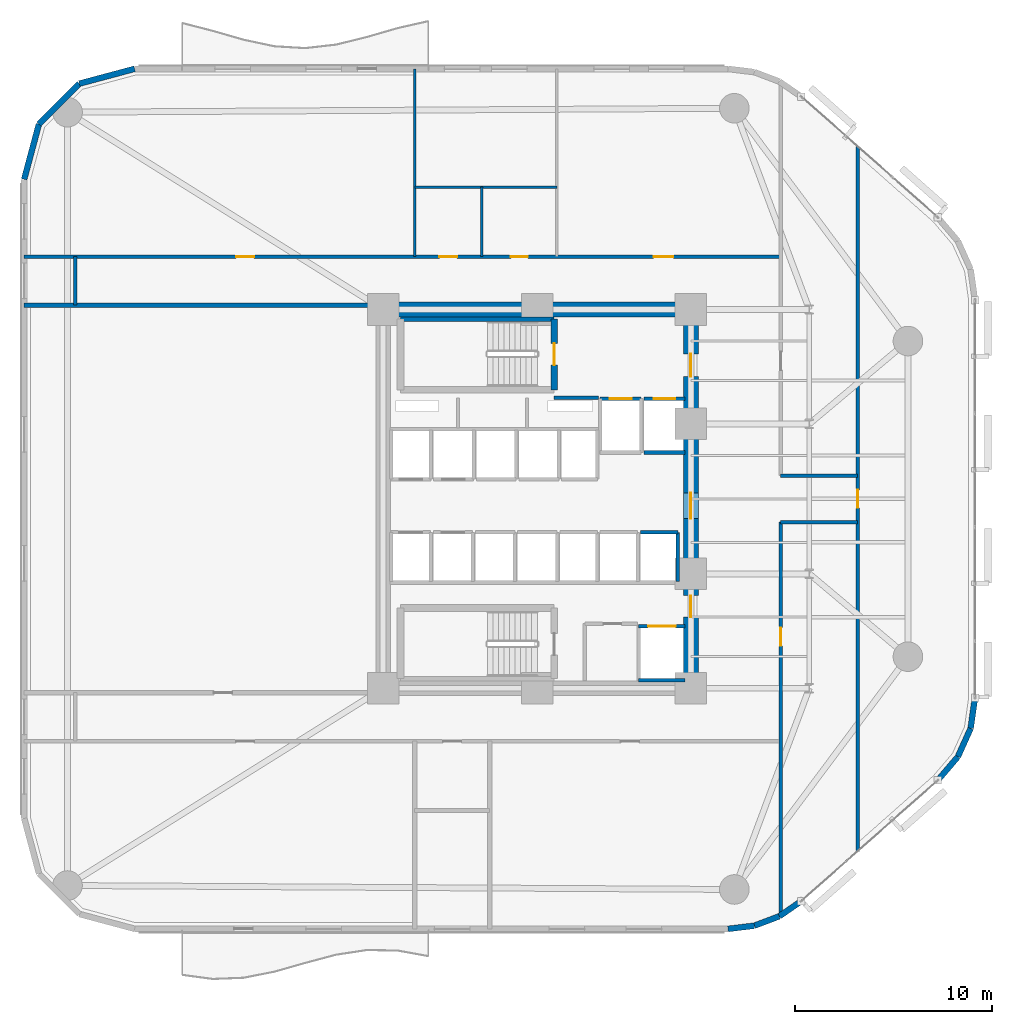
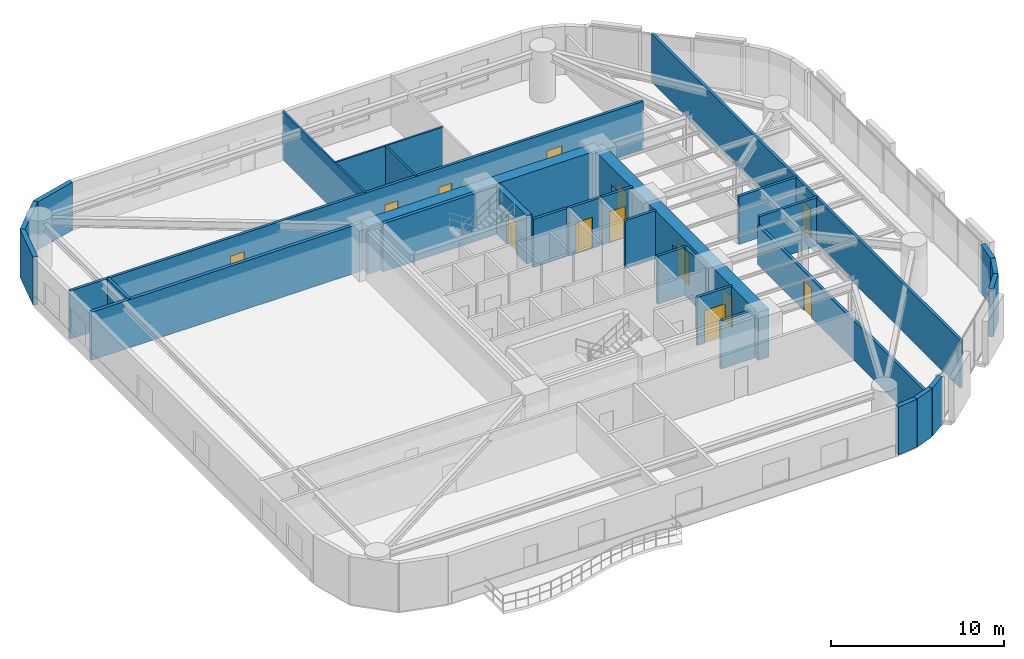
# One storey, part 11 of 15: 31 walls, 13 doors, 13 openings.
"""IFC4 building model written with IfcOpenShell, lengths in metres."""

from ifc_helpers import new_model, si_unit, direction, frame, frame_2d, origin, place, context, subcontext, project, spatial, rectangle, extrude, material, layer, layer_set, type_object, element, fill, save


model = new_model("IFC4")

# Units and contexts
model_context = context("Model", 3, precision=1e-05, world=origin(), true_north=direction((0.0, 1.0)))
body_context = subcontext(model_context, "Body", "Model", "MODEL_VIEW")
ifc_project = project(units=[si_unit("LENGTHUNIT", "METRE"), si_unit("AREAUNIT", "SQUARE_METRE"), si_unit("VOLUMEUNIT", "CUBIC_METRE"), si_unit("PLANEANGLEUNIT", "RADIAN"), si_unit("MASSUNIT", "GRAM", prefix="KILO")], contexts=[model_context])

# Site, building, storey
site_placement = place(None, origin())
site = spatial("IfcSite", under=ifc_project, at=site_placement, CompositionType="ELEMENT")
building_placement = place(site_placement, origin())
building = spatial("IfcBuilding", under=site, at=building_placement, Name="An Khanh Terracotta Commons", CompositionType="ELEMENT")
storey_placement = place(building_placement, frame((0.0, 0.0, 64.800048828125)))
storey = spatial("IfcBuildingStorey", under=building, at=storey_placement, Name="L17", CompositionType="ELEMENT", Elevation=64.800048828125)

# Wall
ifc_material_1 = material(Name="Concrete C70/85", Category="concrete")
ifc_layer_1 = layer(ifc_material_1, 0.75, Name="Concrete C70/85")
ifc_layer_set_1 = layer_set([ifc_layer_1], Name="Concrete C70/85")
wall_type_1 = type_object("IfcWallType", Name="WALL-CORE-750", PredefinedType="SHEAR", material=ifc_layer_set_1)
wall_1_placement = place(storey_placement, frame((21.60009765625, 33.60009765625, 0.0), z_axis=(0.0, 0.0, 1.0), x_axis=(1.0, 0.0, 0.0)))
element("IfcWall", 1, at=wall_1_placement, inside=storey, type_object=wall_type_1, Name="L17 Core Wall CWALL-L17-N", PredefinedType="SHEAR", context=body_context, shape_type="SweptSolid", body=[
    extrude(rectangle(XDim=15.599853515625, YDim=0.75, at=frame_2d((7.7998046875, 0.0))), origin(), (0.0, 0.0, 1.0), 3.39990234375),
])

# Wall, openings, doors
wall_2_placement = place(storey_placement, frame((37.199951171875, 14.39990234375, 0.0), z_axis=(0.0, 0.0, 1.0), x_axis=(0.0, 1.0, 0.0)))
wall_2 = element("IfcWall", 2, at=wall_2_placement, inside=storey, type_object=wall_type_1, Name="L17 Core Wall CWALL-L17-E", PredefinedType="SHEAR", context=body_context, shape_type="SweptSolid", body=[
    extrude(rectangle(XDim=19.2001953125, YDim=0.75, at=frame_2d((9.60009765625, 0.0))), origin(), (0.0, 0.0, 1.0), 3.39990234375),
])
opening_1_placement = place(wall_2_placement, frame((15.800048828125, 0.0, 0.0)))
opening_1 = element("IfcOpeningElement", 3, at=opening_1_placement, cuts=wall_2, Name="Opening D-FFL", PredefinedType="OPENING", context=body_context, shape_type="SweptSolid", body=[
    extrude(rectangle(XDim=1.14990234375, YDim=2.14990234375, at=frame_2d((0.574951171875, 1.074951171875))), frame((0.0, 0.385009765625, 0.0), z_axis=(0.0, -1.0, 0.0), x_axis=(1.0, 0.0, 0.0)), (0.0, 0.0, 1.0), 0.77001953125),
])
opening_2_placement = place(wall_2_placement, frame((3.60009765625, 0.0, 0.0)))
opening_2 = element("IfcOpeningElement", 4, at=opening_2_placement, cuts=wall_2, Name="Opening D-ST", PredefinedType="OPENING", context=body_context, shape_type="SweptSolid", body=[
    extrude(rectangle(XDim=1.10009765625, YDim=2.14990234375, at=frame_2d((0.550048828125, 1.074951171875))), frame((0.0, 0.385009765625, 0.0), z_axis=(0.0, -1.0, 0.0), x_axis=(1.0, 0.0, 0.0)), (0.0, 0.0, 1.0), 0.77001953125),
])
opening_3_placement = place(wall_2_placement, frame((8.60009765625, 0.0, 0.0)))
opening_3 = element("IfcOpeningElement", 5, at=opening_3_placement, cuts=wall_2, Name="Opening D-COR", PredefinedType="OPENING", context=body_context, shape_type="SweptSolid", body=[
    extrude(rectangle(XDim=1.300048828125, YDim=2.199951171875, at=frame_2d((0.64990234375, 1.10009765625))), frame((0.0, 0.385009765625, 0.0), z_axis=(0.0, -1.0, 0.0), x_axis=(1.0, 0.0, 0.0)), (0.0, 0.0, 1.0), 0.77001953125),
])
ifc_material_2 = material(Name="Fire-Rated Glazed Steel Double Door", Category="steel")
door_type_1 = type_object("IfcDoorType", Name="DOOR-CORR-1300", OperationType="NOTDEFINED", PredefinedType="DOOR", material=ifc_material_2)
door_1_placement = place(opening_3_placement, origin())
door_1 = element("IfcDoor", 6, at=door_1_placement, inside=storey, type_object=door_type_1, Name="L17 Passenger Lift Lobby Double Door", OperationType="DOUBLE_DOOR_SINGLE_SWING", OverallHeight=2.199951171875, OverallWidth=1.300048828125, PredefinedType="DOOR", context=body_context, shape_type="SweptSolid", body=[
    extrude(rectangle(XDim=1.300048828125, YDim=2.199951171875, at=frame_2d((0.64990234375, 1.10009765625))), frame((0.0, 0.02490234375, 0.0), z_axis=(0.0, -1.0, 0.0), x_axis=(1.0, 0.0, 0.0)), (0.0, 0.0, 1.0), 0.050048828125),
])
fill(opening_3, door_1)
ifc_material_3 = material(Name="Fire-Rated Steel Leaf and Vision Panel", Category="steel")
door_type_2 = type_object("IfcDoorType", Name="DOOR-FFL-1150", OperationType="NOTDEFINED", PredefinedType="DOOR", material=ifc_material_3)
door_2_placement = place(opening_1_placement, origin())
door_2 = element("IfcDoor", 7, at=door_2_placement, inside=storey, type_object=door_type_2, Name="L17 Firefighting Lift Lobby Fire Door", OperationType="SINGLE_SWING_RIGHT", OverallHeight=2.14990234375, OverallWidth=1.14990234375, PredefinedType="DOOR", context=body_context, shape_type="SweptSolid", body=[
    extrude(rectangle(XDim=1.14990234375, YDim=2.14990234375, at=frame_2d((0.574951171875, 1.074951171875))), frame((0.0, 0.02490234375, 0.0), z_axis=(0.0, -1.0, 0.0), x_axis=(1.0, 0.0, 0.0)), (0.0, 0.0, 1.0), 0.050048828125),
])
fill(opening_1, door_2)
ifc_material_4 = material(Name="Fire-Rated Steel Leaf and Frame", Category="steel")
door_type_3 = type_object("IfcDoorType", Name="DOOR-STAIR-1100", OperationType="NOTDEFINED", PredefinedType="DOOR", material=ifc_material_4)
door_3_placement = place(opening_2_placement, origin())
door_3 = element("IfcDoor", 8, at=door_3_placement, inside=storey, type_object=door_type_3, Name="L17 South Stair Lobby Fire Door", OperationType="SINGLE_SWING_LEFT", OverallHeight=2.14990234375, OverallWidth=1.10009765625, PredefinedType="DOOR", context=body_context, shape_type="SweptSolid", body=[
    extrude(rectangle(XDim=1.10009765625, YDim=2.14990234375, at=frame_2d((0.550048828125, 1.074951171875))), frame((0.0, 0.02490234375, 0.0), z_axis=(0.0, -1.0, 0.0), x_axis=(1.0, 0.0, 0.0)), (0.0, 0.0, 1.0), 0.050048828125),
])
fill(opening_2, door_3)

# Wall
ifc_material_5 = material(Name="Fire-Rated Gypsum Board on Steel Stud", Category="steel")
ifc_layer_2 = layer(ifc_material_5, 0.179931640625, Name="Fire-Rated Gypsum Board on Steel Stud")
ifc_layer_set_2 = layer_set([ifc_layer_2], Name="Fire-Rated Gypsum Board on Steel Stud")
wall_type_2 = type_object("IfcWallType", Name="WALL-CORR-180", PredefinedType="PARTITIONING", material=ifc_layer_set_2)
wall_3_placement = place(storey_placement, frame((30.27001953125, 29.1201171875, 0.0), z_axis=(0.0, 0.0, 1.0), x_axis=(1.0, 0.0, 0.0)))
element("IfcWall", 9, at=wall_3_placement, inside=storey, type_object=wall_type_2, Name="L17 Core Wall FFLW-L17-S", PredefinedType="PARTITIONING", context=body_context, shape_type="SweptSolid", body=[
    extrude(rectangle(XDim=2.239990234375, YDim=0.179931640625, at=frame_2d((1.1201171875, 0.0))), origin(), (0.0, 0.0, 1.0), 3.39990234375),
])

# Wall, opening, door
wall_4_placement = place(storey_placement, frame((32.60009765625, 29.080078125, 0.0), z_axis=(0.0, 0.0, 1.0), x_axis=(1.0, 0.0, 0.0)))
wall_4 = element("IfcWall", 10, at=wall_4_placement, inside=storey, type_object=wall_type_2, Name="L17 Core Wall LSH-L17-FFL-01-N", PredefinedType="PARTITIONING", context=body_context, shape_type="SweptSolid", body=[
    extrude(rectangle(XDim=2.079833984375, YDim=0.179931640625, at=frame_2d((1.0400390625, 0.0))), origin(), (0.0, 0.0, 1.0), 3.39990234375),
])
opening_4_placement = place(wall_4_placement, frame((0.489990234375, 0.0, 0.0)))
opening_4 = element("IfcOpeningElement", 11, at=opening_4_placement, cuts=wall_4, Name="Opening LD-FFL-01-L17", PredefinedType="OPENING", context=body_context, shape_type="SweptSolid", body=[
    extrude(rectangle(XDim=1.10009765625, YDim=2.199951171875, at=frame_2d((0.550048828125, 1.10009765625))), frame((0.0, 0.099853515625, 0.0), z_axis=(0.0, -1.0, 0.0), x_axis=(1.0, 0.0, 0.0)), (0.0, 0.0, 1.0), 0.199951171875),
])
ifc_material_6 = material(Name="Brushed Stainless Steel Fire Landing Door", Category="steel")
door_type_4 = type_object("IfcDoorType", Name="DOOR-LD-FFL-1100", OperationType="NOTDEFINED", PredefinedType="DOOR", material=ifc_material_6)
door_4_placement = place(opening_4_placement, origin())
door_4 = element("IfcDoor", 12, at=door_4_placement, inside=storey, type_object=door_type_4, Name="L17 Lift FFL-01 Sliding Landing Door", OperationType="DOUBLE_DOOR_SLIDING", OverallHeight=2.199951171875, OverallWidth=1.10009765625, PredefinedType="DOOR", context=body_context, shape_type="SweptSolid", body=[
    extrude(rectangle(XDim=1.10009765625, YDim=2.199951171875, at=frame_2d((0.550048828125, 1.10009765625))), frame((0.0, 0.02490234375, 0.0), z_axis=(0.0, -1.0, 0.0), x_axis=(1.0, 0.0, 0.0)), (0.0, 0.0, 1.0), 0.050048828125),
])
fill(opening_4, door_4)

wall_5_placement = place(storey_placement, frame((34.820068359375, 29.080078125, 0.0), z_axis=(0.0, 0.0, 1.0), x_axis=(1.0, 0.0, 0.0)))
wall_5 = element("IfcWall", 13, at=wall_5_placement, inside=storey, type_object=wall_type_2, Name="L17 Core Wall LSH-L17-FFL-02-N", PredefinedType="PARTITIONING", context=body_context, shape_type="SweptSolid", body=[
    extrude(rectangle(XDim=2.079833984375, YDim=0.179931640625, at=frame_2d((1.0400390625, 0.0))), origin(), (0.0, 0.0, 1.0), 3.39990234375),
])
opening_5_placement = place(wall_5_placement, frame((0.489990234375, 0.0, 0.0)))
opening_5 = element("IfcOpeningElement", 14, at=opening_5_placement, cuts=wall_5, Name="Opening LD-FFL-02-L17", PredefinedType="OPENING", context=body_context, shape_type="SweptSolid", body=[
    extrude(rectangle(XDim=1.10009765625, YDim=2.199951171875, at=frame_2d((0.550048828125, 1.10009765625))), frame((0.0, 0.099853515625, 0.0), z_axis=(0.0, -1.0, 0.0), x_axis=(1.0, 0.0, 0.0)), (0.0, 0.0, 1.0), 0.199951171875),
])
door_5_placement = place(opening_5_placement, origin())
door_5 = element("IfcDoor", 15, at=door_5_placement, inside=storey, type_object=door_type_4, Name="L17 Lift FFL-02 Sliding Landing Door", OperationType="DOUBLE_DOOR_SLIDING", OverallHeight=2.199951171875, OverallWidth=1.10009765625, PredefinedType="DOOR", context=body_context, shape_type="SweptSolid", body=[
    extrude(rectangle(XDim=1.10009765625, YDim=2.199951171875, at=frame_2d((0.550048828125, 1.10009765625))), frame((0.0, 0.02490234375, 0.0), z_axis=(0.0, -1.0, 0.0), x_axis=(1.0, 0.0, 0.0)), (0.0, 0.0, 1.0), 0.050048828125),
])
fill(opening_5, door_5)

# Wall
wall_6_placement = place(storey_placement, frame((36.89990234375, 26.35009765625, 0.0), z_axis=(0.0, 0.0, 1.0), x_axis=(-1.0, 0.0, 0.0)))
element("IfcWall", 16, at=wall_6_placement, inside=storey, type_object=wall_type_2, Name="L17 Core Wall LSH-L17-FFL-02-S", PredefinedType="PARTITIONING", context=body_context, shape_type="SweptSolid", body=[
    extrude(rectangle(XDim=2.079833984375, YDim=0.179931640625, at=frame_2d((1.0400390625, 0.0))), origin(), (0.0, 0.0, 1.0), 3.39990234375),
])

# Wall, opening, door
wall_7_placement = place(storey_placement, frame((34.550048828125, 17.550048828125, 0.0), z_axis=(0.0, 0.0, 1.0), x_axis=(1.0, 0.0, 0.0)))
wall_7 = element("IfcWall", 17, at=wall_7_placement, inside=storey, type_object=wall_type_2, Name="L17 Core Wall LSH-L17-SVL-01-N", PredefinedType="PARTITIONING", context=body_context, shape_type="SweptSolid", body=[
    extrude(rectangle(XDim=2.349853515625, YDim=0.179931640625, at=frame_2d((1.1748046875, 0.0))), origin(), (0.0, 0.0, 1.0), 3.39990234375),
])
opening_6_placement = place(wall_7_placement, frame((0.47509765625, 0.0, 0.0)))
opening_6 = element("IfcOpeningElement", 18, at=opening_6_placement, cuts=wall_7, Name="Opening LD-SVL-01-L17", PredefinedType="OPENING", context=body_context, shape_type="SweptSolid", body=[
    extrude(rectangle(XDim=1.39990234375, YDim=2.300048828125, at=frame_2d((0.699951171875, 1.14990234375))), frame((0.0, 0.099853515625, 0.0), z_axis=(0.0, -1.0, 0.0), x_axis=(1.0, 0.0, 0.0)), (0.0, 0.0, 1.0), 0.199951171875),
])
ifc_material_7 = material(Name="Heavy-Duty Stainless Steel Goods Landing Door", Category="steel")
door_type_5 = type_object("IfcDoorType", Name="DOOR-LD-SVL-1400", OperationType="NOTDEFINED", PredefinedType="DOOR", material=ifc_material_7)
door_6_placement = place(opening_6_placement, origin())
door_6 = element("IfcDoor", 19, at=door_6_placement, inside=storey, type_object=door_type_5, Name="L17 Lift SVL-01 Sliding Landing Door", OperationType="DOUBLE_DOOR_SLIDING", OverallHeight=2.300048828125, OverallWidth=1.39990234375, PredefinedType="DOOR", context=body_context, shape_type="SweptSolid", body=[
    extrude(rectangle(XDim=1.39990234375, YDim=2.300048828125, at=frame_2d((0.699951171875, 1.14990234375))), frame((0.0, 0.02490234375, 0.0), z_axis=(0.0, -1.0, 0.0), x_axis=(1.0, 0.0, 0.0)), (0.0, 0.0, 1.0), 0.050048828125),
])
fill(opening_6, door_6)

# Walls
wall_8_placement = place(storey_placement, frame((36.89990234375, 14.800048828125, 0.0), z_axis=(0.0, 0.0, 1.0), x_axis=(-1.0, 0.0, 0.0)))
element("IfcWall", 20, at=wall_8_placement, inside=storey, type_object=wall_type_2, Name="L17 Core Wall LSH-L17-SVL-01-S", PredefinedType="PARTITIONING", context=body_context, shape_type="SweptSolid", body=[
    extrude(rectangle(XDim=2.349853515625, YDim=0.179931640625, at=frame_2d((1.1748046875, 0.0))), origin(), (0.0, 0.0, 1.0), 3.39990234375),
])
wall_9_placement = place(storey_placement, frame((34.639892578125, 22.300048828125, 0.0), z_axis=(0.0, 0.0, 1.0), x_axis=(1.0, 0.0, 0.0)))
element("IfcWall", 21, at=wall_9_placement, inside=storey, type_object=wall_type_2, Name="L17 Core Wall LSH-L17-PL-H4-N", PredefinedType="PARTITIONING", context=body_context, shape_type="SweptSolid", body=[
    extrude(rectangle(XDim=1.900146484375, YDim=0.179931640625, at=frame_2d((0.9501953125, 0.0))), origin(), (0.0, 0.0, 1.0), 3.39990234375),
])
wall_10_placement = place(storey_placement, frame((36.5400390625, 19.800048828125, 0.0), z_axis=(0.0, 0.0, 1.0), x_axis=(0.0, 1.0, 0.0)))
element("IfcWall", 22, at=wall_10_placement, inside=storey, type_object=wall_type_2, Name="L17 Core Wall LSH-L17-PL-H4-E", PredefinedType="PARTITIONING", context=body_context, shape_type="SweptSolid", body=[
    extrude(rectangle(XDim=2.5, YDim=0.179931640625, at=frame_2d((1.25, 0.0))), origin(), (0.0, 0.0, 1.0), 3.39990234375),
])
for number, where, z_axis, x_axis, name in (
    (23, (41.75, 22.820068359375, 0.0), (0.0, 0.0, 1.0), (1.0, 0.0, 0.0), "L17 Interior Partition IW-L17-E004"),
    (24, (41.75, 25.179931640625, 0.0), (0.0, 0.0, 1.0), (1.0, 0.0, 0.0), "L17 Interior Partition IW-L17-E005"),
):
    element("IfcWall", number, at=place(storey_placement, frame(where, z_axis=z_axis, x_axis=x_axis)), inside=storey, type_object=wall_type_2, Name=name, PredefinedType="PARTITIONING", context=body_context, shape_type="SweptSolid", body=[
        extrude(rectangle(XDim=3.89990234375, YDim=0.179931640625, at=frame_2d((1.949951171875, 0.0))), origin(), (0.0, 0.0, 1.0), 3.39990234375),
    ])

# Wall, openings, doors
wall_11_placement = place(storey_placement, frame((3.39990234375, 36.280029296875, 0.0), z_axis=(0.0, 0.0, 1.0), x_axis=(1.0, 0.0, 0.0)))
wall_11 = element("IfcWall", 25, at=wall_11_placement, inside=storey, type_object=wall_type_2, Name="L17 Interior Partition IW-L17-E007", PredefinedType="PARTITIONING", context=body_context, shape_type="SweptSolid", body=[
    extrude(rectangle(XDim=38.35009765625, YDim=0.179931640625, at=frame_2d((19.175048828125, 0.0))), origin(), (0.0, 0.0, 1.0), 3.39990234375),
])
opening_7_placement = place(wall_11_placement, frame((21.050048828125, 0.0, 0.0)))
opening_7 = element("IfcOpeningElement", 26, at=opening_7_placement, cuts=wall_11, Name="Opening D-WC", PredefinedType="OPENING", context=body_context, shape_type="SweptSolid", body=[
    extrude(rectangle(XDim=0.89990234375, YDim=2.10009765625, at=frame_2d((0.449951171875, 1.050048828125))), frame((0.0, 0.099853515625, 0.0), z_axis=(0.0, -1.0, 0.0), x_axis=(1.0, 0.0, 0.0)), (0.0, 0.0, 1.0), 0.199951171875),
])
opening_8_placement = place(wall_11_placement, frame((24.669921875, 0.0, 0.0)))
opening_8 = element("IfcOpeningElement", 27, at=opening_8_placement, cuts=wall_11, Name="Opening D-ENS", PredefinedType="OPENING", context=body_context, shape_type="SweptSolid", body=[
    extrude(rectangle(XDim=0.860107421875, YDim=2.10009765625, at=frame_2d((0.43017578125, 1.050048828125))), frame((0.0, 0.099853515625, 0.0), z_axis=(0.0, -1.0, 0.0), x_axis=(1.0, 0.0, 0.0)), (0.0, 0.0, 1.0), 0.199951171875),
])
opening_9_placement = place(wall_11_placement, frame((10.739990234375, 0.0, 0.0)))
opening_9 = element("IfcOpeningElement", 28, at=opening_9_placement, cuts=wall_11, Name="Opening D-RM", PredefinedType="OPENING", context=body_context, shape_type="SweptSolid", body=[
    extrude(rectangle(XDim=0.919921875, YDim=2.10009765625, at=frame_2d((0.4599609375, 1.050048828125))), frame((0.0, 0.099853515625, 0.0), z_axis=(0.0, -1.0, 0.0), x_axis=(1.0, 0.0, 0.0)), (0.0, 0.0, 1.0), 0.199951171875),
])
opening_10_placement = place(wall_11_placement, frame((31.9150390625, 0.0, 0.0)))
opening_10 = element("IfcOpeningElement", 29, at=opening_10_placement, cuts=wall_11, Name="Opening D-UN", PredefinedType="OPENING", context=body_context, shape_type="SweptSolid", body=[
    extrude(rectangle(XDim=1.0, YDim=2.14990234375, at=frame_2d((0.5, 1.074951171875))), frame((0.0, 0.099853515625, 0.0), z_axis=(0.0, -1.0, 0.0), x_axis=(1.0, 0.0, 0.0)), (0.0, 0.0, 1.0), 0.199951171875),
])
ifc_material_8 = material(Name="Moisture-Resistant Hardwood Timber Leaf", Category="wood")
door_type_6 = type_object("IfcDoorType", Name="DOOR-BATH-860", OperationType="NOTDEFINED", PredefinedType="DOOR", material=ifc_material_8)
door_7_placement = place(opening_8_placement, origin())
door_7 = element("IfcDoor", 30, at=door_7_placement, inside=storey, type_object=door_type_6, Name="L17 SHW Resident Shared Shower and Washroom Door", OperationType="SINGLE_SWING_RIGHT", OverallHeight=2.10009765625, OverallWidth=0.860107421875, PredefinedType="DOOR", context=body_context, shape_type="SweptSolid", body=[
    extrude(rectangle(XDim=0.860107421875, YDim=2.10009765625, at=frame_2d((0.43017578125, 1.050048828125))), frame((0.0, 0.02490234375, 0.0), z_axis=(0.0, -1.0, 0.0), x_axis=(1.0, 0.0, 0.0)), (0.0, 0.0, 1.0), 0.050048828125),
])
fill(opening_8, door_7)
ifc_material_9 = material(Name="Engineered Hardwood Timber Leaf", Category="wood")
door_type_7 = type_object("IfcDoorType", Name="DOOR-INT-920", OperationType="NOTDEFINED", PredefinedType="DOOR", material=ifc_material_9)
door_8_placement = place(opening_9_placement, origin())
door_8 = element("IfcDoor", 31, at=door_8_placement, inside=storey, type_object=door_type_7, Name="L17 NW1 Student Reading Library Door", OperationType="SINGLE_SWING_LEFT", OverallHeight=2.10009765625, OverallWidth=0.919921875, PredefinedType="DOOR", context=body_context, shape_type="SweptSolid", body=[
    extrude(rectangle(XDim=0.919921875, YDim=2.10009765625, at=frame_2d((0.4599609375, 1.050048828125))), frame((0.0, 0.02490234375, 0.0), z_axis=(0.0, -1.0, 0.0), x_axis=(1.0, 0.0, 0.0)), (0.0, 0.0, 1.0), 0.050048828125),
])
fill(opening_9, door_8)
ifc_material_10 = material(Name="Solid-Core Hardwood Acoustic Fire Door", Category="wood")
door_type_8 = type_object("IfcDoorType", Name="DOOR-UNIT-1000", OperationType="NOTDEFINED", PredefinedType="DOOR", material=ifc_material_10)
door_9_placement = place(opening_10_placement, origin())
door_9 = element("IfcDoor", 32, at=door_9_placement, inside=storey, type_object=door_type_8, Name="L17 NWE Yoga Wellness Studio Door", OperationType="SINGLE_SWING_RIGHT", OverallHeight=2.14990234375, OverallWidth=1.0, PredefinedType="DOOR", context=body_context, shape_type="SweptSolid", body=[
    extrude(rectangle(XDim=1.0, YDim=2.14990234375, at=frame_2d((0.5, 1.074951171875))), frame((0.0, 0.02490234375, 0.0), z_axis=(0.0, -1.0, 0.0), x_axis=(1.0, 0.0, 0.0)), (0.0, 0.0, 1.0), 0.050048828125),
])
fill(opening_10, door_9)
ifc_material_11 = material(Name="Laminate Moisture-Resistant Timber Leaf", Category="wood")
door_type_9 = type_object("IfcDoorType", Name="DOOR-WC-900", OperationType="NOTDEFINED", PredefinedType="DOOR", material=ifc_material_11)
door_10_placement = place(opening_7_placement, origin())
door_10 = element("IfcDoor", 33, at=door_10_placement, inside=storey, type_object=door_type_9, Name="L17 AWC Accessible WC Door", OperationType="SINGLE_SWING_LEFT", OverallHeight=2.10009765625, OverallWidth=0.89990234375, PredefinedType="DOOR", context=body_context, shape_type="SweptSolid", body=[
    extrude(rectangle(XDim=0.89990234375, YDim=2.10009765625, at=frame_2d((0.449951171875, 1.050048828125))), frame((0.0, 0.02490234375, 0.0), z_axis=(0.0, -1.0, 0.0), x_axis=(1.0, 0.0, 0.0)), (0.0, 0.0, 1.0), 0.050048828125),
])
fill(opening_7, door_10)

# Wall
wall_12_placement = place(storey_placement, frame((6.0, 33.820068359375, 0.0), z_axis=(0.0, 0.0, 1.0), x_axis=(0.0, 1.0, 0.0)))
element("IfcWall", 34, at=wall_12_placement, inside=storey, type_object=wall_type_2, Name="L17 Interior Partition IW-L17-E010", PredefinedType="PARTITIONING", context=body_context, shape_type="SweptSolid", body=[
    extrude(rectangle(XDim=2.4599609375, YDim=0.179931640625, at=frame_2d((1.22998046875, 0.0))), origin(), (0.0, 0.0, 1.0), 3.39990234375),
])

# Wall, opening, door
wall_13_placement = place(storey_placement, frame((41.75, 2.888916015625, 0.0), z_axis=(0.0, 0.0, 1.0), x_axis=(0.0, 1.0, 0.0)))
wall_13 = element("IfcWall", 35, at=wall_13_placement, inside=storey, type_object=wall_type_2, Name="L17 Interior Partition IW-L17-E016", PredefinedType="PARTITIONING", context=body_context, shape_type="SweptSolid", body=[
    extrude(rectangle(XDim=19.93115234375, YDim=0.179931640625, at=frame_2d((9.965576171875, 0.0))), origin(), (0.0, 0.0, 1.0), 2.781982421875),
])
opening_11_placement = place(wall_13_placement, frame((13.660888671875, 0.0, 0.0)))
opening_11 = element("IfcOpeningElement", 36, at=opening_11_placement, cuts=wall_13, Name="Opening D-RM", PredefinedType="OPENING", context=body_context, shape_type="SweptSolid", body=[
    extrude(rectangle(XDim=0.919921875, YDim=2.10009765625, at=frame_2d((0.4599609375, 1.050048828125))), frame((0.0, 0.099853515625, 0.0), z_axis=(0.0, -1.0, 0.0), x_axis=(1.0, 0.0, 0.0)), (0.0, 0.0, 1.0), 0.199951171875),
])
door_11_placement = place(opening_11_placement, origin())
door_11 = element("IfcDoor", 37, at=door_11_placement, inside=storey, type_object=door_type_7, Name="L17 SPN2 Research Study Office Door", OperationType="SINGLE_SWING_LEFT", OverallHeight=2.10009765625, OverallWidth=0.919921875, PredefinedType="DOOR", context=body_context, shape_type="SweptSolid", body=[
    extrude(rectangle(XDim=0.919921875, YDim=2.10009765625, at=frame_2d((0.4599609375, 1.050048828125))), frame((0.0, 0.02490234375, 0.0), z_axis=(0.0, -1.0, 0.0), x_axis=(1.0, 0.0, 0.0)), (0.0, 0.0, 1.0), 0.050048828125),
])
fill(opening_11, door_11)

wall_14_placement = place(storey_placement, frame((45.64990234375, 6.136962890625, 0.0), z_axis=(0.0, 0.0, 1.0), x_axis=(0.0, 1.0, 0.0)))
wall_14 = element("IfcWall", 38, at=wall_14_placement, inside=storey, type_object=wall_type_2, Name="L17 Interior Partition IW-L17-E018", PredefinedType="PARTITIONING", context=body_context, shape_type="SweptSolid", body=[
    extrude(rectangle(XDim=35.72607421875, YDim=0.179931640625, at=frame_2d((17.863037109375, 0.0))), origin(), (0.0, 0.0, 1.0), 3.39990234375),
])
opening_12_placement = place(wall_14_placement, frame((17.403076171875, 0.0, 0.0)))
opening_12 = element("IfcOpeningElement", 39, at=opening_12_placement, cuts=wall_14, Name="Opening D-RM", PredefinedType="OPENING", context=body_context, shape_type="SweptSolid", body=[
    extrude(rectangle(XDim=0.919921875, YDim=2.10009765625, at=frame_2d((0.4599609375, 1.050048828125))), frame((0.0, 0.099853515625, 0.0), z_axis=(0.0, -1.0, 0.0), x_axis=(1.0, 0.0, 0.0)), (0.0, 0.0, 1.0), 0.199951171875),
])
door_12_placement = place(opening_12_placement, origin())
door_12 = element("IfcDoor", 40, at=door_12_placement, inside=storey, type_object=door_type_7, Name="L17 GHALL Riverfront Reference Library Door", OperationType="SINGLE_SWING_RIGHT", OverallHeight=2.10009765625, OverallWidth=0.919921875, PredefinedType="DOOR", context=body_context, shape_type="SweptSolid", body=[
    extrude(rectangle(XDim=0.919921875, YDim=2.10009765625, at=frame_2d((0.4599609375, 1.050048828125))), frame((0.0, 0.02490234375, 0.0), z_axis=(0.0, -1.0, 0.0), x_axis=(1.0, 0.0, 0.0)), (0.0, 0.0, 1.0), 0.050048828125),
])
fill(opening_12, door_12)

# Walls
ifc_material_12 = material(Name="Precast concrete C40/50", Category="concrete")
ifc_layer_3 = layer(ifc_material_12, 0.300048828125, Name="Precast concrete C40/50")
ifc_layer_set_3 = layer_set([ifc_layer_3], Name="Precast concrete C40/50")
wall_type_3 = type_object("IfcWallType", Name="WALL-EXT-300", PredefinedType="SOLIDWALL", material=ifc_layer_set_3)
wall_15_placement = place(storey_placement, frame((39.0791015625, 2.199951171875, 0.0), z_axis=(0.0, 0.0, 1.0), x_axis=(0.992739027259, 0.120288086515, 0.0)))
element("IfcWall", 41, at=wall_15_placement, inside=storey, type_object=wall_type_3, Name="L17 Insulated Terracotta Exterior Wall 5", PredefinedType="SOLIDWALL", context=body_context, shape_type="SweptSolid", body=[
    extrude(rectangle(XDim=1.34765625, YDim=0.300048828125, at=frame_2d((0.673828125, 0.0))), origin(), (0.0, 0.0, 1.0), 3.39990234375),
])
wall_16_placement = place(storey_placement, frame((40.4169921875, 2.362060546875, 0.0), z_axis=(0.0, 0.0, 1.0), x_axis=(0.935156721165, 0.354234254216, 0.0)))
element("IfcWall", 42, at=wall_16_placement, inside=storey, type_object=wall_type_3, Name="L17 Insulated Terracotta Exterior Wall 6", PredefinedType="SOLIDWALL", context=body_context, shape_type="SweptSolid", body=[
    extrude(rectangle(XDim=1.349365234375, YDim=0.300048828125, at=frame_2d((0.6748046875, 0.0))), origin(), (0.0, 0.0, 1.0), 3.39990234375),
])
wall_17_placement = place(storey_placement, frame((41.678955078125, 2.840087890625, 0.0), z_axis=(0.0, 0.0, 1.0), x_axis=(0.823116500192, 0.567872544777, 0.0)))
element("IfcWall", 43, at=wall_17_placement, inside=storey, type_object=wall_type_3, Name="L17 Insulated Terracotta Exterior Wall 7", PredefinedType="SOLIDWALL", context=body_context, shape_type="SweptSolid", body=[
    extrude(rectangle(XDim=1.3486328125, YDim=0.300048828125, at=frame_2d((0.67431640625, 0.0))), origin(), (0.0, 0.0, 1.0), 3.39990234375),
])
wall_18_placement = place(storey_placement, frame((49.7099609375, 9.72802734375, 0.0), z_axis=(0.0, 0.0, 1.0), x_axis=(0.648389989909, 0.7613083613, 0.0)))
element("IfcWall", 44, at=wall_18_placement, inside=storey, type_object=wall_type_3, Name="L17 Insulated Terracotta Exterior Wall 9", PredefinedType="SOLIDWALL", context=body_context, shape_type="SweptSolid", body=[
    extrude(rectangle(XDim=1.576171875, YDim=0.300048828125, at=frame_2d((0.7880859375, 0.0))), origin(), (0.0, 0.0, 1.0), 3.39990234375),
])
wall_19_placement = place(storey_placement, frame((50.73193359375, 10.927978515625, 0.0), z_axis=(0.0, 0.0, 1.0), x_axis=(0.410996558744, 0.911636895206, 0.0)))
element("IfcWall", 45, at=wall_19_placement, inside=storey, type_object=wall_type_3, Name="L17 Insulated Terracotta Exterior Wall 10", PredefinedType="SOLIDWALL", context=body_context, shape_type="SweptSolid", body=[
    extrude(rectangle(XDim=1.57421875, YDim=0.300048828125, at=frame_2d((0.787109375, 0.0))), origin(), (0.0, 0.0, 1.0), 3.39990234375),
])
wall_20_placement = place(storey_placement, frame((51.37890625, 12.363037109375, 0.0), z_axis=(0.0, 0.0, 1.0), x_axis=(0.140380048512, 0.990097693149, 0.0)))
element("IfcWall", 46, at=wall_20_placement, inside=storey, type_object=wall_type_3, Name="L17 Insulated Terracotta Exterior Wall 11", PredefinedType="SOLIDWALL", context=body_context, shape_type="SweptSolid", body=[
    extrude(rectangle(XDim=1.57568359375, YDim=0.300048828125, at=frame_2d((0.787841796875, 0.0))), origin(), (0.0, 0.0, 1.0), 3.39990234375),
])
wall_21_placement = place(storey_placement, frame((9.0, 45.800048828125, 0.0), z_axis=(0.0, 0.0, 1.0), x_axis=(-0.96594917914, -0.258731875344, 0.0)))
element("IfcWall", 47, at=wall_21_placement, inside=storey, type_object=wall_type_3, Name="L17 Insulated Terracotta Exterior Wall 21", PredefinedType="SOLIDWALL", context=body_context, shape_type="SweptSolid", body=[
    extrude(rectangle(XDim=2.898681640625, YDim=0.300048828125, at=frame_2d((1.44921875, 0.0))), origin(), (0.0, 0.0, 1.0), 3.39990234375),
])
wall_22_placement = place(storey_placement, frame((6.199951171875, 45.050048828125, 0.0), z_axis=(0.0, 0.0, 1.0), x_axis=(-0.707106781187, -0.707106781187, 0.0)))
element("IfcWall", 48, at=wall_22_placement, inside=storey, type_object=wall_type_3, Name="L17 Insulated Terracotta Exterior Wall 22", PredefinedType="SOLIDWALL", context=body_context, shape_type="SweptSolid", body=[
    extrude(rectangle(XDim=2.899169921875, YDim=0.300048828125, at=frame_2d((1.44970703125, 0.0))), origin(), (0.0, 0.0, 1.0), 3.39990234375),
])
wall_23_placement = place(storey_placement, frame((4.14990234375, 43.0, 0.0), z_axis=(0.0, 0.0, 1.0), x_axis=(-0.258731875344, -0.96594917914, 0.0)))
element("IfcWall", 49, at=wall_23_placement, inside=storey, type_object=wall_type_3, Name="L17 Insulated Terracotta Exterior Wall 23", PredefinedType="SOLIDWALL", context=body_context, shape_type="SweptSolid", body=[
    extrude(rectangle(XDim=2.898681640625, YDim=0.300048828125, at=frame_2d((1.44921875, 0.0))), origin(), (0.0, 0.0, 1.0), 3.39990234375),
])
ifc_material_13 = material(Name="Acoustic Double-Stud Gypsum and Mineral Wool")
ifc_layer_4 = layer(ifc_material_13, 0.219970703125, Name="Acoustic Double-Stud Gypsum and Mineral Wool")
ifc_layer_set_4 = layer_set([ifc_layer_4], Name="Acoustic Double-Stud Gypsum and Mineral Wool")
wall_type_4 = type_object("IfcWallType", Name="WALL-PARTY-220", PredefinedType="PARTITIONING", material=ifc_layer_set_4)
wall_24_placement = place(storey_placement, frame((22.47998046875, 33.110107421875, 0.0), z_axis=(0.0, 0.0, 1.0), x_axis=(1.0, 0.0, 0.0)))
element("IfcWall", 50, at=wall_24_placement, inside=storey, type_object=wall_type_4, Name="L17 Core Wall STW-L17-N-N", PredefinedType="PARTITIONING", context=body_context, shape_type="SweptSolid", body=[
    extrude(rectangle(XDim=7.7900390625, YDim=0.219970703125, at=frame_2d((3.89501953125, 0.0))), origin(), (0.0, 0.0, 1.0), 3.39990234375),
])
wall_25_placement = place(storey_placement, frame((3.39990234375, 33.820068359375, 0.0), z_axis=(0.0, 0.0, 1.0), x_axis=(1.0, 0.0, 0.0)))
element("IfcWall", 51, at=wall_25_placement, inside=storey, type_object=wall_type_4, Name="L17 Interior Partition IW-L17-E006", PredefinedType="PARTITIONING", context=body_context, shape_type="SweptSolid", body=[
    extrude(rectangle(XDim=18.080078125, YDim=0.219970703125, at=frame_2d((9.0400390625, 0.0))), origin(), (0.0, 0.0, 1.0), 3.39990234375),
])

# Wall, opening, door
ifc_material_14 = material(Name="Concrete C50/60", Category="concrete")
ifc_layer_5 = layer(ifc_material_14, 0.35009765625, Name="Concrete C50/60")
ifc_layer_set_5 = layer_set([ifc_layer_5], Name="Concrete C50/60")
wall_type_5 = type_object("IfcWallType", Name="WALL-SHAFT-350", PredefinedType="SOLIDWALL", material=ifc_layer_set_5)
wall_26_placement = place(storey_placement, frame((30.27001953125, 29.530029296875, 0.0), z_axis=(0.0, 0.0, 1.0), x_axis=(0.0, 1.0, 0.0)))
wall_26 = element("IfcWall", 52, at=wall_26_placement, inside=storey, type_object=wall_type_5, Name="L17 Core Wall STW-L17-N-E", PredefinedType="SOLIDWALL", context=body_context, shape_type="SweptSolid", body=[
    extrude(rectangle(XDim=3.580078125, YDim=0.35009765625, at=frame_2d((1.7900390625, 0.0))), origin(), (0.0, 0.0, 1.0), 3.39990234375),
])
opening_13_placement = place(wall_26_placement, frame((1.25, 0.0, 0.0)))
opening_13 = element("IfcOpeningElement", 53, at=opening_13_placement, cuts=wall_26, Name="Opening D-ST", PredefinedType="OPENING", context=body_context, shape_type="SweptSolid", body=[
    extrude(rectangle(XDim=1.10009765625, YDim=2.14990234375, at=frame_2d((0.550048828125, 1.074951171875))), frame((0.0, 0.18505859375, 0.0), z_axis=(0.0, -1.0, 0.0), x_axis=(1.0, 0.0, 0.0)), (0.0, 0.0, 1.0), 0.3701171875),
])
door_13_placement = place(opening_13_placement, origin())
door_13 = element("IfcDoor", 54, at=door_13_placement, inside=storey, type_object=door_type_3, Name="L17 Stair ST-01 Fire Door", OperationType="SINGLE_SWING_RIGHT", OverallHeight=2.14990234375, OverallWidth=1.10009765625, PredefinedType="DOOR", context=body_context, shape_type="SweptSolid", body=[
    extrude(rectangle(XDim=1.10009765625, YDim=2.14990234375, at=frame_2d((0.550048828125, 1.074951171875))), frame((0.0, 0.02490234375, 0.0), z_axis=(0.0, -1.0, 0.0), x_axis=(1.0, 0.0, 0.0)), (0.0, 0.0, 1.0), 0.050048828125),
])
fill(opening_13, door_13)

# Walls
ifc_material_15 = material(Name="Moisture-Resistant Cement Board Partition")
ifc_layer_6 = layer(ifc_material_15, 0.1201171875, Name="Moisture-Resistant Cement Board Partition")
ifc_layer_set_6 = layer_set([ifc_layer_6], Name="Moisture-Resistant Cement Board Partition")
wall_type_6 = type_object("IfcWallType", Name="WALL-WET-120", PredefinedType="PARTITIONING", material=ifc_layer_set_6)
wall_27_placement = place(storey_placement, frame((23.199951171875, 39.800048828125, 0.0), z_axis=(0.0, 0.0, 1.0), x_axis=(1.0, 0.0, 0.0)))
element("IfcWall", 55, at=wall_27_placement, inside=storey, type_object=wall_type_6, Name="L17 Interior Partition IW-L17-E008", PredefinedType="PARTITIONING", context=body_context, shape_type="SweptSolid", body=[
    extrude(rectangle(XDim=7.199951171875, YDim=0.1201171875, at=frame_2d((3.60009765625, 0.0))), origin(), (0.0, 0.0, 1.0), 3.39990234375),
])
wall_28_placement = place(storey_placement, frame((23.199951171875, 36.280029296875, 0.0), z_axis=(0.0, 0.0, 1.0), x_axis=(0.0, 1.0, 0.0)))
element("IfcWall", 56, at=wall_28_placement, inside=storey, type_object=wall_type_6, Name="L17 Interior Partition IW-L17-E012", PredefinedType="PARTITIONING", context=body_context, shape_type="SweptSolid", body=[
    extrude(rectangle(XDim=9.52001953125, YDim=0.1201171875, at=frame_2d((4.760009765625, 0.0))), origin(), (0.0, 0.0, 1.0), 3.39990234375),
])
wall_29_placement = place(storey_placement, frame((26.60009765625, 36.280029296875, 0.0), z_axis=(0.0, 0.0, 1.0), x_axis=(0.0, 1.0, 0.0)))
element("IfcWall", 57, at=wall_29_placement, inside=storey, type_object=wall_type_6, Name="L17 Interior Partition IW-L17-E013", PredefinedType="PARTITIONING", context=body_context, shape_type="SweptSolid", body=[
    extrude(rectangle(XDim=3.52001953125, YDim=0.1201171875, at=frame_2d((1.760009765625, 0.0))), origin(), (0.0, 0.0, 1.0), 3.39990234375),
])

save(model, "model.ifc")
